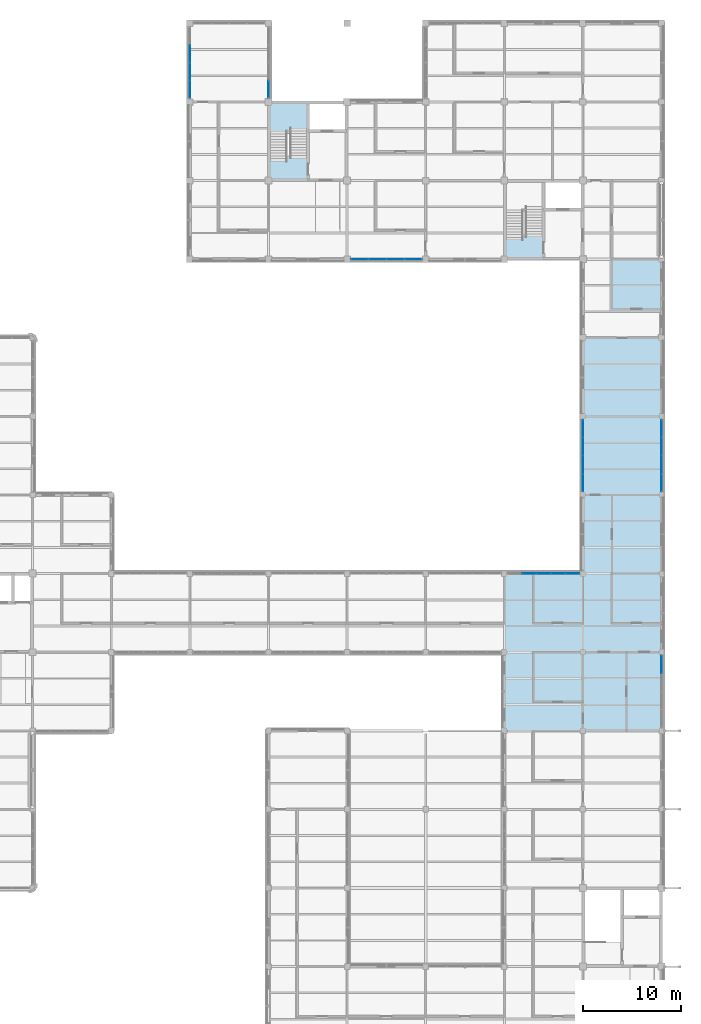
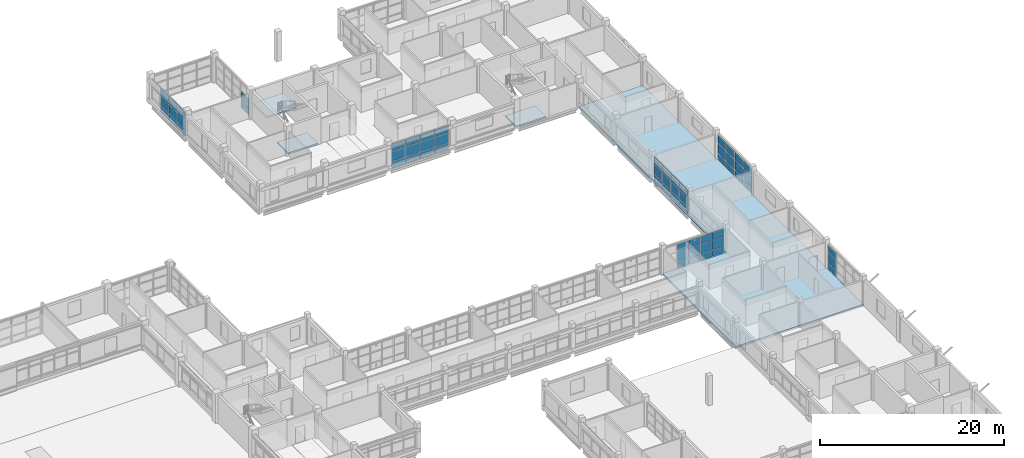
# One storey, part 68 of 107: 62 plates, 4 slabs, 8 elements without a shape of their own.
"""IFC4 building model written with IfcOpenShell, lengths in metres."""

import ifcopenshell
import ifcopenshell.guid

model = None  # the IFC model being written
_history = None  # IfcOwnerHistory: only IFC2X3 demands one
_inside = {}  # id of a spatial element -> (the spatial element, [elements in it])
_under = {}  # id of a project, library or spatial element -> (it, [spatial elements below it])
_declared = {}  # id of a project -> (the project, [libraries it declares])
_typed = {}  # id of a type object -> (the type object, [elements of that type])
_made_of = {}  # id of a material, layer set ... -> (it, [elements and type objects made of it])


def new_model(schema):
    """Start an empty IFC model of exactly this schema.

    Asked for "IFC4X3", IfcOpenShell would pick the latest addendum, in which some entities
    have other attributes; the version numbers below select the first issue.
    IFC2X3 requires an IfcOwnerHistory on every rooted entity: one is made here for all.
    """
    global model, _history
    if schema == "IFC4X3":
        model = ifcopenshell.file(schema_version=(4, 3, 0, 0))
    else:
        model = ifcopenshell.file(schema=schema)
    _inside.clear()
    _under.clear()
    _declared.clear()
    _typed.clear()
    _made_of.clear()
    _history = None
    if model.schema == "IFC2X3":
        org = make("IfcOrganization", Name="unknown")
        user = make(
            "IfcPersonAndOrganization",
            ThePerson=make("IfcPerson", FamilyName="unknown"),
            TheOrganization=org,
        )
        app = make(
            "IfcApplication",
            ApplicationDeveloper=org,
            Version="unknown",
            ApplicationFullName="unknown",
            ApplicationIdentifier="unknown",
        )
        _history = make(
            "IfcOwnerHistory",
            OwningUser=user,
            OwningApplication=app,
            ChangeAction="ADDED",
            CreationDate=0,
        )
    return model


def make(cls, **values):
    """One entity of the class cls with the attributes given. An attribute that is None is left unset."""
    return model.create_entity(
        cls, **{name: value for name, value in values.items() if value is not None}
    )


def rooted(cls, **values):
    """An entity with a GlobalId (a new one), such as an element, a storey or a relation."""
    return make(cls, GlobalId=ifcopenshell.guid.new(), OwnerHistory=_history, **values)


def si_unit(unit_type, name, prefix=None):
    """IfcSIUnit, for example si_unit("LENGTHUNIT", "METRE", prefix="MILLI")."""
    return make("IfcSIUnit", UnitType=unit_type, Prefix=prefix, Name=name)


def derived_unit(unit_type, elements):
    """IfcDerivedUnit: a product of units, each with its exponent."""
    return make(
        "IfcDerivedUnit",
        Elements=[
            make("IfcDerivedUnitElement", Unit=unit, Exponent=power)
            for unit, power in elements
        ],
        UnitType=unit_type,
    )


def assignment(units):
    """IfcUnitAssignment: the units of a project."""
    return None if units is None else make("IfcUnitAssignment", Units=units)


def point(xyz):
    """IfcCartesianPoint."""
    return None if xyz is None else make("IfcCartesianPoint", Coordinates=xyz)


def direction(xyz):
    """IfcDirection."""
    return None if xyz is None else make("IfcDirection", DirectionRatios=xyz)


def frame(location, z_axis=None, x_axis=None):
    """IfcAxis2Placement3D, a coordinate frame: its origin and axes. An axis left out is left unset."""
    return make(
        "IfcAxis2Placement3D",
        Location=point(location),
        Axis=direction(z_axis),
        RefDirection=direction(x_axis),
    )


def frame_2d(location, x_axis=None):
    """IfcAxis2Placement2D, a coordinate frame in the plane: its origin and x axis."""
    return make(
        "IfcAxis2Placement2D", Location=point(location), RefDirection=direction(x_axis)
    )


def origin():
    """The frame at (0, 0, 0) with its axes left unset."""
    return frame((0.0, 0.0, 0.0))


def origin_2d():
    """The frame at (0, 0) in the plane with its x axis left unset."""
    return frame_2d((0.0, 0.0))


def place(relative_to, where):
    """IfcLocalPlacement: puts the frame where relative to a parent placement (None: the world)."""
    return make(
        "IfcLocalPlacement", PlacementRelTo=relative_to, RelativePlacement=where
    )


def context(
    kind, dimensions, precision=None, world=None, true_north=None, identifier=None
):
    """IfcGeometricRepresentationContext, for example the 3D "Model" context."""
    return make(
        "IfcGeometricRepresentationContext",
        ContextIdentifier=identifier,
        ContextType=kind,
        CoordinateSpaceDimension=dimensions,
        Precision=precision,
        WorldCoordinateSystem=world,
        TrueNorth=true_north,
    )


def subcontext(parent, identifier, kind, view, scale=None):
    """IfcGeometricRepresentationSubContext, for example "Body" below "Model"."""
    return make(
        "IfcGeometricRepresentationSubContext",
        ContextIdentifier=identifier,
        ContextType=kind,
        ParentContext=parent,
        TargetScale=scale,
        TargetView=view,
    )


def project(units=None, contexts=None):
    """IfcProject with its units and contexts."""
    return rooted(
        "IfcProject",
        Name="project",
        RepresentationContexts=contexts,
        UnitsInContext=assignment(units),
    )


def spatial(cls, under=None, at=None, **own):
    """A site, building, storey or space (cls), placed at a placement, below another one or the project."""
    s = rooted(cls, ObjectPlacement=at, **own)
    if under is not None:
        _under.setdefault(under.id(), (under, []))[1].append(s)
    return s


def polyline(points):
    """IfcPolyline through the points."""
    return make("IfcPolyline", Points=[point(p) for p in points])


def profile(cls, at=None, kind="AREA", **sizes):
    """A parametric profile (cls). Its sizes go by their IFC names, for example OverallWidth=200.0."""
    return make(cls, ProfileType=kind, Position=at, **sizes)


def rectangle(**sizes):
    """IfcRectangleProfileDef."""
    return profile("IfcRectangleProfileDef", **sizes)


def outline(outer, holes=None, kind="AREA"):
    """IfcArbitraryClosedProfileDef: a profile drawn as a closed curve; with holes, ...WithVoids."""
    if holes is None:
        return make("IfcArbitraryClosedProfileDef", ProfileType=kind, OuterCurve=outer)
    return make(
        "IfcArbitraryProfileDefWithVoids",
        ProfileType=kind,
        OuterCurve=outer,
        InnerCurves=holes,
    )


def extrude(swept, where, along, depth):
    """IfcExtrudedAreaSolid: the profile swept, set in the frame where, extruded along a direction by depth."""
    return make(
        "IfcExtrudedAreaSolid",
        SweptArea=swept,
        Position=where,
        ExtrudedDirection=direction(along),
        Depth=depth,
    )


def shape(context_of_items, identifier, shape_type, items):
    """IfcShapeRepresentation: the items that make up one representation, for example the "Body"."""
    return make(
        "IfcShapeRepresentation",
        ContextOfItems=context_of_items,
        RepresentationIdentifier=identifier,
        RepresentationType=shape_type,
        Items=items,
    )


def material(Name=None, Category=None):
    """IfcMaterial."""
    return make("IfcMaterial", Name=Name, Category=Category)


def layer(
    of_material, thickness, ventilated=None, Name=None, Category=None, Priority=None
):
    """IfcMaterialLayer: one layer of a wall or slab, of a material (None: an air gap)."""
    return make(
        "IfcMaterialLayer",
        Material=of_material,
        LayerThickness=thickness,
        IsVentilated=ventilated,
        Name=Name,
        Category=Category,
        Priority=Priority,
    )


def layer_set(layers, Name=None):
    """IfcMaterialLayerSet."""
    return make("IfcMaterialLayerSet", MaterialLayers=layers, LayerSetName=Name)


def made_of(thing, what):
    """Note that an element or type object is made of a material, layer set ...; save() writes the relation."""
    if what is not None:
        _made_of.setdefault(what.id(), (what, []))[1].append(thing)
    return thing


def type_object(cls, material=None, **own):
    """A type object (cls), such as IfcWallType, which elements share."""
    return made_of(rooted(cls, **own), material)


def element(
    cls,
    number,
    at=None,
    inside=None,
    cuts=None,
    type_object=None,
    material=None,
    context=None,
    identifier="Body",
    shape_type=None,
    held_by="IfcProductDefinitionShape",
    body=None,
    shapes=None,
    **own,
):
    """One element of the class cls, such as IfcWall. Its Tag is "e" and its number.

    at: its placement. inside: the storey or other place that contains it. cuts: it is an
    opening in that element (IfcRelVoidsElement). A single representation is given by context,
    identifier, shape_type and body (its items); several are given by shapes. held_by: the class
    of the entity that holds the representations. save() writes the other relations.
    """
    e = rooted(cls, Tag="e%d" % number, ObjectPlacement=at, **own)
    if body is not None:
        shapes = [shape(context, identifier, shape_type, body)]
    if shapes is not None:
        e.Representation = make(held_by, Representations=shapes)
    if inside is not None:
        _inside.setdefault(inside.id(), (inside, []))[1].append(e)
    if cuts is not None:
        rooted(
            "IfcRelVoidsElement", RelatingBuildingElement=cuts, RelatedOpeningElement=e
        )
    if type_object is not None:
        _typed.setdefault(type_object.id(), (type_object, []))[1].append(e)
    return made_of(e, material)


def aggregate(whole, parts):
    """IfcRelAggregates: a whole, such as a stair, and the parts it consists of."""
    return rooted("IfcRelAggregates", RelatingObject=whole, RelatedObjects=parts)


def save(model, path):
    """Write the relations noted so far, then the file.

    IfcRelAggregates (storeys below a building ...), IfcRelContainedInSpatialStructure (elements
    in a storey), IfcRelDefinesByType, IfcRelAssociatesMaterial and IfcRelDeclares: one each for
    every whole, place, type object, material and project.
    """
    for whole, parts in _under.values():
        aggregate(whole, parts)
    for where, things in _inside.values():
        rooted(
            "IfcRelContainedInSpatialStructure",
            RelatedElements=things,
            RelatingStructure=where,
        )
    for kind, things in _typed.values():
        rooted("IfcRelDefinesByType", RelatedObjects=things, RelatingType=kind)
    for what, things in _made_of.values():
        rooted("IfcRelAssociatesMaterial", RelatedObjects=things, RelatingMaterial=what)
    for by, libraries in _declared.values():
        rooted("IfcRelDeclares", RelatingContext=by, RelatedDefinitions=libraries)
    model.write(path)


model = new_model("IFC4")

# Units and contexts
model_context = context("Model", 3, precision=1e-05, world=origin(), true_north=direction((0.0, 1.0)))
body_context = subcontext(model_context, "Body", "Model", "MODEL_VIEW")
ifc_project = project(units=[si_unit("LENGTHUNIT", "METRE"), si_unit("AREAUNIT", "SQUARE_METRE"), si_unit("VOLUMEUNIT", "CUBIC_METRE"), si_unit("PLANEANGLEUNIT", "RADIAN"), si_unit("MASSUNIT", "GRAM", prefix="KILO"), derived_unit("THERMALTRANSMITTANCEUNIT", [(si_unit("MASSUNIT", "GRAM", prefix="KILO"), 1), (si_unit("TIMEUNIT", "SECOND"), -3), (si_unit("THERMODYNAMICTEMPERATUREUNIT", "KELVIN"), -1)])], contexts=[model_context])

# Site, building, storey
site_placement = place(None, origin())
site = spatial("IfcSite", under=ifc_project, at=site_placement, CompositionType="ELEMENT")
building_placement = place(site_placement, origin())
building = spatial("IfcBuilding", under=site, at=building_placement, Name="Veyamyaing Civic Hall", CompositionType="ELEMENT")
storey_placement = place(building_placement, frame((0.0, 0.0, 13.860107421875)))
storey = spatial("IfcBuildingStorey", under=building, at=storey_placement, Name="L03", CompositionType="ELEMENT", Elevation=13.860107421875)

# Curtain wall, plates
ifc_material_1 = material(Name="Anodised aluminium 6063-T6", Category="aluminium")
ifc_layer_1 = layer(ifc_material_1, 0.139892578125, Name="Anodised aluminium 6063-T6")
ifc_layer_set_1 = layer_set([ifc_layer_1], Name="Anodised aluminium 6063-T6")
curtain_wall_type_1 = type_object("IfcCurtainWallType", Name="CW-04", PredefinedType="NOTDEFINED", material=ifc_layer_set_1)
curtain_wall_1_placement = place(storey_placement, origin())
curtain_wall_1 = element("IfcCurtainWall", 1, at=curtain_wall_1_placement, inside=storey, type_object=curtain_wall_type_1, Name="Unitized curtain wall CW-04 L03 N 21.7", PredefinedType="NOTDEFINED")
ifc_material_2 = material(Name="Low-E insulated glass", Category="glass")
ifc_layer_2 = layer(ifc_material_2, 0.028076171875, Name="Low-E insulated glass")
ifc_layer_set_2 = layer_set([ifc_layer_2], Name="Low-E insulated glass")
plate_type_1 = type_object("IfcPlateType", Name="CWP-01", PredefinedType="CURTAIN_PANEL", material=ifc_layer_set_2)
plate_1_placement = place(storey_placement, frame((162.52197265625, 56.0, 0.059814453125), z_axis=(0.0, 0.0, 1.0), x_axis=(1.0, 0.0, 0.0)))
plate_1 = element("IfcPlate", 2, at=plate_1_placement, type_object=plate_type_1, Name="CW-04 panel 2.1", PredefinedType="CURTAIN_PANEL", context=body_context, shape_type="SweptSolid", body=[
    extrude(rectangle(XDim=1.41796875, YDim=0.028076171875, at=origin_2d()), origin(), (0.0, 0.0, 1.0), 0.81005859375),
])
plate_2_placement = place(storey_placement, frame((162.52197265625, 56.0, 0.929931640625), z_axis=(0.0, 0.0, 1.0), x_axis=(1.0, 0.0, 0.0)))
plate_2 = element("IfcPlate", 3, at=plate_2_placement, type_object=plate_type_1, Name="CW-04 panel 2.2", PredefinedType="CURTAIN_PANEL", context=body_context, shape_type="SweptSolid", body=[
    extrude(rectangle(XDim=1.41796875, YDim=0.028076171875, at=origin_2d()), origin(), (0.0, 0.0, 1.0), 1.28662109375),
])
plate_3_placement = place(storey_placement, frame((162.52197265625, 56.0, 2.276611328125), z_axis=(0.0, 0.0, 1.0), x_axis=(1.0, 0.0, 0.0)))
plate_3 = element("IfcPlate", 4, at=plate_3_placement, type_object=plate_type_1, Name="CW-04 panel 2.3", PredefinedType="CURTAIN_PANEL", context=body_context, shape_type="SweptSolid", body=[
    extrude(rectangle(XDim=1.41796875, YDim=0.028076171875, at=origin_2d()), origin(), (0.0, 0.0, 1.0), 0.96728515625),
])
plate_4_placement = place(storey_placement, frame((164.0, 56.0, 0.059814453125), z_axis=(0.0, 0.0, 1.0), x_axis=(1.0, 0.0, 0.0)))
plate_4 = element("IfcPlate", 5, at=plate_4_placement, type_object=plate_type_1, Name="CW-04 panel 3.1", PredefinedType="CURTAIN_PANEL", context=body_context, shape_type="SweptSolid", body=[
    extrude(rectangle(XDim=1.41796875, YDim=0.028076171875, at=origin_2d()), origin(), (0.0, 0.0, 1.0), 0.81005859375),
])
plate_5_placement = place(storey_placement, frame((164.0, 56.0, 0.929931640625), z_axis=(0.0, 0.0, 1.0), x_axis=(1.0, 0.0, 0.0)))
plate_5 = element("IfcPlate", 6, at=plate_5_placement, type_object=plate_type_1, Name="CW-04 panel 3.2", PredefinedType="CURTAIN_PANEL", context=body_context, shape_type="SweptSolid", body=[
    extrude(rectangle(XDim=1.41796875, YDim=0.028076171875, at=origin_2d()), origin(), (0.0, 0.0, 1.0), 1.28662109375),
])
plate_6_placement = place(storey_placement, frame((164.0, 56.0, 2.276611328125), z_axis=(0.0, 0.0, 1.0), x_axis=(1.0, 0.0, 0.0)))
plate_6 = element("IfcPlate", 7, at=plate_6_placement, type_object=plate_type_1, Name="CW-04 panel 3.3", PredefinedType="CURTAIN_PANEL", context=body_context, shape_type="SweptSolid", body=[
    extrude(rectangle(XDim=1.41796875, YDim=0.028076171875, at=origin_2d()), origin(), (0.0, 0.0, 1.0), 0.96728515625),
])
plate_7_placement = place(storey_placement, frame((165.47802734375, 56.0, 0.059814453125), z_axis=(0.0, 0.0, 1.0), x_axis=(1.0, 0.0, 0.0)))
plate_7 = element("IfcPlate", 8, at=plate_7_placement, type_object=plate_type_1, Name="CW-04 panel 4.1", PredefinedType="CURTAIN_PANEL", context=body_context, shape_type="SweptSolid", body=[
    extrude(rectangle(XDim=1.41796875, YDim=0.028076171875, at=origin_2d()), origin(), (0.0, 0.0, 1.0), 0.81005859375),
])
plate_8_placement = place(storey_placement, frame((165.47802734375, 56.0, 0.929931640625), z_axis=(0.0, 0.0, 1.0), x_axis=(1.0, 0.0, 0.0)))
plate_8 = element("IfcPlate", 9, at=plate_8_placement, type_object=plate_type_1, Name="CW-04 panel 4.2", PredefinedType="CURTAIN_PANEL", context=body_context, shape_type="SweptSolid", body=[
    extrude(rectangle(XDim=1.41796875, YDim=0.028076171875, at=origin_2d()), origin(), (0.0, 0.0, 1.0), 1.28662109375),
])
plate_9_placement = place(storey_placement, frame((165.47802734375, 56.0, 2.276611328125), z_axis=(0.0, 0.0, 1.0), x_axis=(1.0, 0.0, 0.0)))
plate_9 = element("IfcPlate", 10, at=plate_9_placement, type_object=plate_type_1, Name="CW-04 panel 4.3", PredefinedType="CURTAIN_PANEL", context=body_context, shape_type="SweptSolid", body=[
    extrude(rectangle(XDim=1.41796875, YDim=0.028076171875, at=origin_2d()), origin(), (0.0, 0.0, 1.0), 0.96728515625),
])
plate_10_placement = place(storey_placement, frame((166.94091796875, 56.0, 0.059814453125), z_axis=(0.0, 0.0, 1.0), x_axis=(1.0, 0.0, 0.0)))
plate_10 = element("IfcPlate", 11, at=plate_10_placement, type_object=plate_type_1, Name="CW-04 panel 5.1", PredefinedType="CURTAIN_PANEL", context=body_context, shape_type="SweptSolid", body=[
    extrude(rectangle(XDim=1.387939453125, YDim=0.028076171875, at=origin_2d()), origin(), (0.0, 0.0, 1.0), 0.81005859375),
])
plate_11_placement = place(storey_placement, frame((166.94091796875, 56.0, 0.929931640625), z_axis=(0.0, 0.0, 1.0), x_axis=(1.0, 0.0, 0.0)))
plate_11 = element("IfcPlate", 12, at=plate_11_placement, type_object=plate_type_1, Name="CW-04 panel 5.2", PredefinedType="CURTAIN_PANEL", context=body_context, shape_type="SweptSolid", body=[
    extrude(rectangle(XDim=1.387939453125, YDim=0.028076171875, at=origin_2d()), origin(), (0.0, 0.0, 1.0), 1.28662109375),
])
plate_12_placement = place(storey_placement, frame((166.94091796875, 56.0, 2.276611328125), z_axis=(0.0, 0.0, 1.0), x_axis=(1.0, 0.0, 0.0)))
plate_12 = element("IfcPlate", 13, at=plate_12_placement, type_object=plate_type_1, Name="CW-04 panel 5.3", PredefinedType="CURTAIN_PANEL", context=body_context, shape_type="SweptSolid", body=[
    extrude(rectangle(XDim=1.387939453125, YDim=0.028076171875, at=origin_2d()), origin(), (0.0, 0.0, 1.0), 0.96728515625),
])
aggregate(curtain_wall_1, [plate_1, plate_2, plate_3, plate_4, plate_5, plate_6, plate_7, plate_8, plate_9, plate_10, plate_11, plate_12])

ifc_layer_3 = layer(ifc_material_1, 0.159912109375, Name="Anodised aluminium 6063-T6")
ifc_layer_set_3 = layer_set([ifc_layer_3], Name="Anodised aluminium 6063-T6")
curtain_wall_type_2 = type_object("IfcCurtainWallType", Name="CW-07", PredefinedType="NOTDEFINED", material=ifc_layer_set_3)
curtain_wall_2_placement = place(storey_placement, origin())
curtain_wall_2 = element("IfcCurtainWall", 14, at=curtain_wall_2_placement, inside=storey, type_object=curtain_wall_type_2, Name="Unitized curtain wall CW-07 L03 E 22.6", PredefinedType="NOTDEFINED")
plate_13_placement = place(storey_placement, frame((176.0, 46.7548828125, 0.06494140625), z_axis=(0.0, 0.0, 1.0), x_axis=(0.0, 1.0, 0.0)))
plate_13 = element("IfcPlate", 15, at=plate_13_placement, type_object=plate_type_1, Name="CW-07 panel 4.1", PredefinedType="CURTAIN_PANEL", context=body_context, shape_type="SweptSolid", body=[
    extrude(rectangle(XDim=1.75, YDim=0.028076171875, at=origin_2d()), origin(), (0.0, 0.0, 1.0), 0.802490234375),
])
plate_14_placement = place(storey_placement, frame((176.0, 46.7548828125, 0.932373046875), z_axis=(0.0, 0.0, 1.0), x_axis=(0.0, 1.0, 0.0)))
plate_14 = element("IfcPlate", 16, at=plate_14_placement, type_object=plate_type_1, Name="CW-07 panel 4.2", PredefinedType="CURTAIN_PANEL", context=body_context, shape_type="SweptSolid", body=[
    extrude(rectangle(XDim=1.75, YDim=0.028076171875, at=origin_2d()), origin(), (0.0, 0.0, 1.0), 1.28173828125),
])
plate_15_placement = place(storey_placement, frame((176.0, 46.7548828125, 2.279296875), z_axis=(0.0, 0.0, 1.0), x_axis=(0.0, 1.0, 0.0)))
plate_15 = element("IfcPlate", 17, at=plate_15_placement, type_object=plate_type_1, Name="CW-07 panel 4.3", PredefinedType="CURTAIN_PANEL", context=body_context, shape_type="SweptSolid", body=[
    extrude(rectangle(XDim=1.75, YDim=0.028076171875, at=origin_2d()), origin(), (0.0, 0.0, 1.0), 0.959716796875),
])
aggregate(curtain_wall_2, [plate_13, plate_14, plate_15])

curtain_wall_3_placement = place(storey_placement, origin())
curtain_wall_3 = element("IfcCurtainWall", 18, at=curtain_wall_3_placement, inside=storey, type_object=curtain_wall_type_2, Name="Unitized curtain wall CW-07 L03 W 17.14", PredefinedType="NOTDEFINED")
ifc_layer_4 = layer(ifc_material_2, 0.02392578125, Name="Low-E insulated glass")
ifc_layer_set_4 = layer_set([ifc_layer_4], Name="Low-E insulated glass")
plate_type_2 = type_object("IfcPlateType", Name="CWP-04", PredefinedType="CURTAIN_PANEL", material=ifc_layer_set_4)
plate_16_placement = place(storey_placement, frame((128.0, 105.282470703125, 0.06494140625), z_axis=(0.0, 0.0, 1.0), x_axis=(0.0, 1.0, 0.0)))
plate_16 = element("IfcPlate", 19, at=plate_16_placement, type_object=plate_type_2, Name="CW-07 panel 1.1", PredefinedType="CURTAIN_PANEL", context=body_context, shape_type="SweptSolid", body=[
    extrude(rectangle(XDim=1.72509765625, YDim=0.02392578125, at=origin_2d()), origin(), (0.0, 0.0, 1.0), 0.802490234375),
])
plate_17_placement = place(storey_placement, frame((128.0, 105.282470703125, 0.93212890625), z_axis=(0.0, 0.0, 1.0), x_axis=(0.0, 1.0, 0.0)))
plate_17 = element("IfcPlate", 20, at=plate_17_placement, type_object=plate_type_2, Name="CW-07 panel 1.2", PredefinedType="CURTAIN_PANEL", context=body_context, shape_type="SweptSolid", body=[
    extrude(rectangle(XDim=1.72509765625, YDim=0.02392578125, at=origin_2d()), origin(), (0.0, 0.0, 1.0), 1.279052734375),
])
plate_18_placement = place(storey_placement, frame((128.0, 105.282470703125, 2.2763671875), z_axis=(0.0, 0.0, 1.0), x_axis=(0.0, 1.0, 0.0)))
plate_18 = element("IfcPlate", 21, at=plate_18_placement, type_object=plate_type_2, Name="CW-07 panel 1.3", PredefinedType="CURTAIN_PANEL", context=body_context, shape_type="SweptSolid", body=[
    extrude(rectangle(XDim=1.72509765625, YDim=0.02392578125, at=origin_2d()), origin(), (0.0, 0.0, 1.0), 0.95849609375),
])
plate_19_placement = place(storey_placement, frame((128.0, 107.0888671875, 0.06494140625), z_axis=(0.0, 0.0, 1.0), x_axis=(0.0, 1.0, 0.0)))
plate_19 = element("IfcPlate", 22, at=plate_19_placement, type_object=plate_type_2, Name="CW-07 panel 2.1", PredefinedType="CURTAIN_PANEL", context=body_context, shape_type="SweptSolid", body=[
    extrude(rectangle(XDim=1.757568359375, YDim=0.02392578125, at=origin_2d()), origin(), (0.0, 0.0, 1.0), 0.802490234375),
])
plate_20_placement = place(storey_placement, frame((128.0, 107.0888671875, 0.93212890625), z_axis=(0.0, 0.0, 1.0), x_axis=(0.0, 1.0, 0.0)))
plate_20 = element("IfcPlate", 23, at=plate_20_placement, type_object=plate_type_2, Name="CW-07 panel 2.2", PredefinedType="CURTAIN_PANEL", context=body_context, shape_type="SweptSolid", body=[
    extrude(rectangle(XDim=1.757568359375, YDim=0.02392578125, at=origin_2d()), origin(), (0.0, 0.0, 1.0), 1.279052734375),
])
plate_21_placement = place(storey_placement, frame((128.0, 107.0888671875, 2.2763671875), z_axis=(0.0, 0.0, 1.0), x_axis=(0.0, 1.0, 0.0)))
plate_21 = element("IfcPlate", 24, at=plate_21_placement, type_object=plate_type_2, Name="CW-07 panel 2.3", PredefinedType="CURTAIN_PANEL", context=body_context, shape_type="SweptSolid", body=[
    extrude(rectangle(XDim=1.757568359375, YDim=0.02392578125, at=origin_2d()), origin(), (0.0, 0.0, 1.0), 0.95849609375),
])
plate_22_placement = place(storey_placement, frame((128.0, 108.9111328125, 0.06494140625), z_axis=(0.0, 0.0, 1.0), x_axis=(0.0, 1.0, 0.0)))
plate_22 = element("IfcPlate", 25, at=plate_22_placement, type_object=plate_type_2, Name="CW-07 panel 3.1", PredefinedType="CURTAIN_PANEL", context=body_context, shape_type="SweptSolid", body=[
    extrude(rectangle(XDim=1.757568359375, YDim=0.02392578125, at=origin_2d()), origin(), (0.0, 0.0, 1.0), 0.802490234375),
])
plate_23_placement = place(storey_placement, frame((128.0, 108.9111328125, 0.93212890625), z_axis=(0.0, 0.0, 1.0), x_axis=(0.0, 1.0, 0.0)))
plate_23 = element("IfcPlate", 26, at=plate_23_placement, type_object=plate_type_2, Name="CW-07 panel 3.2", PredefinedType="CURTAIN_PANEL", context=body_context, shape_type="SweptSolid", body=[
    extrude(rectangle(XDim=1.757568359375, YDim=0.02392578125, at=origin_2d()), origin(), (0.0, 0.0, 1.0), 1.279052734375),
])
plate_24_placement = place(storey_placement, frame((128.0, 108.9111328125, 2.2763671875), z_axis=(0.0, 0.0, 1.0), x_axis=(0.0, 1.0, 0.0)))
plate_24 = element("IfcPlate", 27, at=plate_24_placement, type_object=plate_type_2, Name="CW-07 panel 3.3", PredefinedType="CURTAIN_PANEL", context=body_context, shape_type="SweptSolid", body=[
    extrude(rectangle(XDim=1.757568359375, YDim=0.02392578125, at=origin_2d()), origin(), (0.0, 0.0, 1.0), 0.95849609375),
])
aggregate(curtain_wall_3, [plate_16, plate_17, plate_18, plate_19, plate_20, plate_21, plate_22, plate_23, plate_24])

curtain_wall_4_placement = place(storey_placement, origin())
curtain_wall_4 = element("IfcCurtainWall", 28, at=curtain_wall_4_placement, inside=storey, type_object=curtain_wall_type_2, Name="Unitized curtain wall CW-07 L03 E 17.14", PredefinedType="NOTDEFINED")
plate_25_placement = place(storey_placement, frame((136.0, 105.304443359375, 0.06494140625), z_axis=(0.0, 0.0, 1.0), x_axis=(0.0, 1.0, 0.0)))
plate_25 = element("IfcPlate", 29, at=plate_25_placement, type_object=plate_type_2, Name="CW-07 panel 1.1", PredefinedType="CURTAIN_PANEL", context=body_context, shape_type="SweptSolid", body=[
    extrude(rectangle(XDim=1.71875, YDim=0.02392578125, at=origin_2d()), origin(), (0.0, 0.0, 1.0), 0.802490234375),
])
plate_26_placement = place(storey_placement, frame((136.0, 105.304443359375, 0.9326171875), z_axis=(0.0, 0.0, 1.0), x_axis=(0.0, 1.0, 0.0)))
plate_26 = element("IfcPlate", 30, at=plate_26_placement, type_object=plate_type_2, Name="CW-07 panel 1.2", PredefinedType="CURTAIN_PANEL", context=body_context, shape_type="SweptSolid", body=[
    extrude(rectangle(XDim=1.71875, YDim=0.02392578125, at=origin_2d()), origin(), (0.0, 0.0, 1.0), 1.322509765625),
])
aggregate(curtain_wall_4, [plate_25, plate_26])

curtain_wall_5_placement = place(storey_placement, origin())
curtain_wall_5 = element("IfcCurtainWall", 31, at=curtain_wall_5_placement, inside=storey, type_object=curtain_wall_type_2, Name="Unitized curtain wall CW-07 L03 S 19.12", PredefinedType="NOTDEFINED")
plate_27_placement = place(storey_placement, frame((145.282470703125, 88.0, 0.06494140625), z_axis=(0.0, 0.0, 1.0), x_axis=(1.0, 0.0, 0.0)))
plate_27 = element("IfcPlate", 32, at=plate_27_placement, type_object=plate_type_2, Name="CW-07 panel 1.1", PredefinedType="CURTAIN_PANEL", context=body_context, shape_type="SweptSolid", body=[
    extrude(rectangle(XDim=1.72509765625, YDim=0.02392578125, at=origin_2d()), origin(), (0.0, 0.0, 1.0), 0.802490234375),
])
plate_28_placement = place(storey_placement, frame((145.282470703125, 88.0, 0.93212890625), z_axis=(0.0, 0.0, 1.0), x_axis=(1.0, 0.0, 0.0)))
plate_28 = element("IfcPlate", 33, at=plate_28_placement, type_object=plate_type_2, Name="CW-07 panel 1.2", PredefinedType="CURTAIN_PANEL", context=body_context, shape_type="SweptSolid", body=[
    extrude(rectangle(XDim=1.72509765625, YDim=0.02392578125, at=origin_2d()), origin(), (0.0, 0.0, 1.0), 1.279052734375),
])
plate_29_placement = place(storey_placement, frame((145.282470703125, 88.0, 2.2763671875), z_axis=(0.0, 0.0, 1.0), x_axis=(1.0, 0.0, 0.0)))
plate_29 = element("IfcPlate", 34, at=plate_29_placement, type_object=plate_type_2, Name="CW-07 panel 1.3", PredefinedType="CURTAIN_PANEL", context=body_context, shape_type="SweptSolid", body=[
    extrude(rectangle(XDim=1.72509765625, YDim=0.02392578125, at=origin_2d()), origin(), (0.0, 0.0, 1.0), 0.95849609375),
])
plate_30_placement = place(storey_placement, frame((147.0888671875, 88.0, 0.06494140625), z_axis=(0.0, 0.0, 1.0), x_axis=(1.0, 0.0, 0.0)))
plate_30 = element("IfcPlate", 35, at=plate_30_placement, type_object=plate_type_2, Name="CW-07 panel 2.1", PredefinedType="CURTAIN_PANEL", context=body_context, shape_type="SweptSolid", body=[
    extrude(rectangle(XDim=1.757568359375, YDim=0.02392578125, at=origin_2d()), origin(), (0.0, 0.0, 1.0), 0.802490234375),
])
plate_31_placement = place(storey_placement, frame((147.0888671875, 88.0, 0.93212890625), z_axis=(0.0, 0.0, 1.0), x_axis=(1.0, 0.0, 0.0)))
plate_31 = element("IfcPlate", 36, at=plate_31_placement, type_object=plate_type_2, Name="CW-07 panel 2.2", PredefinedType="CURTAIN_PANEL", context=body_context, shape_type="SweptSolid", body=[
    extrude(rectangle(XDim=1.757568359375, YDim=0.02392578125, at=origin_2d()), origin(), (0.0, 0.0, 1.0), 1.279052734375),
])
plate_32_placement = place(storey_placement, frame((147.0888671875, 88.0, 2.2763671875), z_axis=(0.0, 0.0, 1.0), x_axis=(1.0, 0.0, 0.0)))
plate_32 = element("IfcPlate", 37, at=plate_32_placement, type_object=plate_type_2, Name="CW-07 panel 2.3", PredefinedType="CURTAIN_PANEL", context=body_context, shape_type="SweptSolid", body=[
    extrude(rectangle(XDim=1.757568359375, YDim=0.02392578125, at=origin_2d()), origin(), (0.0, 0.0, 1.0), 0.95849609375),
])
plate_33_placement = place(storey_placement, frame((148.9111328125, 88.0, 0.06494140625), z_axis=(0.0, 0.0, 1.0), x_axis=(1.0, 0.0, 0.0)))
plate_33 = element("IfcPlate", 38, at=plate_33_placement, type_object=plate_type_2, Name="CW-07 panel 3.1", PredefinedType="CURTAIN_PANEL", context=body_context, shape_type="SweptSolid", body=[
    extrude(rectangle(XDim=1.757568359375, YDim=0.02392578125, at=origin_2d()), origin(), (0.0, 0.0, 1.0), 0.802490234375),
])
plate_34_placement = place(storey_placement, frame((148.9111328125, 88.0, 0.93212890625), z_axis=(0.0, 0.0, 1.0), x_axis=(1.0, 0.0, 0.0)))
plate_34 = element("IfcPlate", 39, at=plate_34_placement, type_object=plate_type_2, Name="CW-07 panel 3.2", PredefinedType="CURTAIN_PANEL", context=body_context, shape_type="SweptSolid", body=[
    extrude(rectangle(XDim=1.757568359375, YDim=0.02392578125, at=origin_2d()), origin(), (0.0, 0.0, 1.0), 1.279052734375),
])
plate_35_placement = place(storey_placement, frame((148.9111328125, 88.0, 2.2763671875), z_axis=(0.0, 0.0, 1.0), x_axis=(1.0, 0.0, 0.0)))
plate_35 = element("IfcPlate", 40, at=plate_35_placement, type_object=plate_type_2, Name="CW-07 panel 3.3", PredefinedType="CURTAIN_PANEL", context=body_context, shape_type="SweptSolid", body=[
    extrude(rectangle(XDim=1.757568359375, YDim=0.02392578125, at=origin_2d()), origin(), (0.0, 0.0, 1.0), 0.95849609375),
])
plate_36_placement = place(storey_placement, frame((150.717529296875, 88.0, 0.06494140625), z_axis=(0.0, 0.0, 1.0), x_axis=(1.0, 0.0, 0.0)))
plate_36 = element("IfcPlate", 41, at=plate_36_placement, type_object=plate_type_2, Name="CW-07 panel 4.1", PredefinedType="CURTAIN_PANEL", context=body_context, shape_type="SweptSolid", body=[
    extrude(rectangle(XDim=1.72509765625, YDim=0.02392578125, at=origin_2d()), origin(), (0.0, 0.0, 1.0), 0.802490234375),
])
plate_37_placement = place(storey_placement, frame((150.717529296875, 88.0, 0.93212890625), z_axis=(0.0, 0.0, 1.0), x_axis=(1.0, 0.0, 0.0)))
plate_37 = element("IfcPlate", 42, at=plate_37_placement, type_object=plate_type_2, Name="CW-07 panel 4.2", PredefinedType="CURTAIN_PANEL", context=body_context, shape_type="SweptSolid", body=[
    extrude(rectangle(XDim=1.72509765625, YDim=0.02392578125, at=origin_2d()), origin(), (0.0, 0.0, 1.0), 1.279052734375),
])
plate_38_placement = place(storey_placement, frame((150.717529296875, 88.0, 2.2763671875), z_axis=(0.0, 0.0, 1.0), x_axis=(1.0, 0.0, 0.0)))
plate_38 = element("IfcPlate", 43, at=plate_38_placement, type_object=plate_type_2, Name="CW-07 panel 4.3", PredefinedType="CURTAIN_PANEL", context=body_context, shape_type="SweptSolid", body=[
    extrude(rectangle(XDim=1.72509765625, YDim=0.02392578125, at=origin_2d()), origin(), (0.0, 0.0, 1.0), 0.95849609375),
])
aggregate(curtain_wall_5, [plate_27, plate_28, plate_29, plate_30, plate_31, plate_32, plate_33, plate_34, plate_35, plate_36, plate_37, plate_38])

curtain_wall_6_placement = place(storey_placement, origin())
curtain_wall_6 = element("IfcCurtainWall", 44, at=curtain_wall_6_placement, inside=storey, type_object=curtain_wall_type_2, Name="Unitized curtain wall CW-07 L03 W 22.9", PredefinedType="NOTDEFINED")
plate_39_placement = place(storey_placement, frame((168.0, 65.2451171875, 0.06494140625), z_axis=(0.0, 0.0, 1.0), x_axis=(0.0, 1.0, 0.0)))
plate_39 = element("IfcPlate", 45, at=plate_39_placement, type_object=plate_type_2, Name="CW-07 panel 1.1", PredefinedType="CURTAIN_PANEL", context=body_context, shape_type="SweptSolid", body=[
    extrude(rectangle(XDim=1.75, YDim=0.02392578125, at=origin_2d()), origin(), (0.0, 0.0, 1.0), 0.802490234375),
])
plate_40_placement = place(storey_placement, frame((168.0, 65.2451171875, 0.93212890625), z_axis=(0.0, 0.0, 1.0), x_axis=(0.0, 1.0, 0.0)))
plate_40 = element("IfcPlate", 46, at=plate_40_placement, type_object=plate_type_2, Name="CW-07 panel 1.2", PredefinedType="CURTAIN_PANEL", context=body_context, shape_type="SweptSolid", body=[
    extrude(rectangle(XDim=1.75, YDim=0.02392578125, at=origin_2d()), origin(), (0.0, 0.0, 1.0), 1.279052734375),
])
plate_41_placement = place(storey_placement, frame((168.0, 65.2451171875, 2.2763671875), z_axis=(0.0, 0.0, 1.0), x_axis=(0.0, 1.0, 0.0)))
plate_41 = element("IfcPlate", 47, at=plate_41_placement, type_object=plate_type_2, Name="CW-07 panel 1.3", PredefinedType="CURTAIN_PANEL", context=body_context, shape_type="SweptSolid", body=[
    extrude(rectangle(XDim=1.75, YDim=0.02392578125, at=origin_2d()), origin(), (0.0, 0.0, 1.0), 0.95849609375),
])
plate_42_placement = place(storey_placement, frame((168.0, 67.076171875, 0.06494140625), z_axis=(0.0, 0.0, 1.0), x_axis=(0.0, 1.0, 0.0)))
plate_42 = element("IfcPlate", 48, at=plate_42_placement, type_object=plate_type_2, Name="CW-07 panel 2.1", PredefinedType="CURTAIN_PANEL", context=body_context, shape_type="SweptSolid", body=[
    extrude(rectangle(XDim=1.782470703125, YDim=0.02392578125, at=origin_2d()), origin(), (0.0, 0.0, 1.0), 0.802490234375),
])
plate_43_placement = place(storey_placement, frame((168.0, 67.076171875, 0.93212890625), z_axis=(0.0, 0.0, 1.0), x_axis=(0.0, 1.0, 0.0)))
plate_43 = element("IfcPlate", 49, at=plate_43_placement, type_object=plate_type_2, Name="CW-07 panel 2.2", PredefinedType="CURTAIN_PANEL", context=body_context, shape_type="SweptSolid", body=[
    extrude(rectangle(XDim=1.782470703125, YDim=0.02392578125, at=origin_2d()), origin(), (0.0, 0.0, 1.0), 1.279052734375),
])
plate_44_placement = place(storey_placement, frame((168.0, 67.076171875, 2.2763671875), z_axis=(0.0, 0.0, 1.0), x_axis=(0.0, 1.0, 0.0)))
plate_44 = element("IfcPlate", 50, at=plate_44_placement, type_object=plate_type_2, Name="CW-07 panel 2.3", PredefinedType="CURTAIN_PANEL", context=body_context, shape_type="SweptSolid", body=[
    extrude(rectangle(XDim=1.782470703125, YDim=0.02392578125, at=origin_2d()), origin(), (0.0, 0.0, 1.0), 0.95849609375),
])
plate_45_placement = place(storey_placement, frame((168.0, 68.923828125, 0.06494140625), z_axis=(0.0, 0.0, 1.0), x_axis=(0.0, 1.0, 0.0)))
plate_45 = element("IfcPlate", 51, at=plate_45_placement, type_object=plate_type_2, Name="CW-07 panel 3.1", PredefinedType="CURTAIN_PANEL", context=body_context, shape_type="SweptSolid", body=[
    extrude(rectangle(XDim=1.782470703125, YDim=0.02392578125, at=origin_2d()), origin(), (0.0, 0.0, 1.0), 0.802490234375),
])
plate_46_placement = place(storey_placement, frame((168.0, 68.923828125, 0.93212890625), z_axis=(0.0, 0.0, 1.0), x_axis=(0.0, 1.0, 0.0)))
plate_46 = element("IfcPlate", 52, at=plate_46_placement, type_object=plate_type_2, Name="CW-07 panel 3.2", PredefinedType="CURTAIN_PANEL", context=body_context, shape_type="SweptSolid", body=[
    extrude(rectangle(XDim=1.782470703125, YDim=0.02392578125, at=origin_2d()), origin(), (0.0, 0.0, 1.0), 1.279052734375),
])
plate_47_placement = place(storey_placement, frame((168.0, 68.923828125, 2.2763671875), z_axis=(0.0, 0.0, 1.0), x_axis=(0.0, 1.0, 0.0)))
plate_47 = element("IfcPlate", 53, at=plate_47_placement, type_object=plate_type_2, Name="CW-07 panel 3.3", PredefinedType="CURTAIN_PANEL", context=body_context, shape_type="SweptSolid", body=[
    extrude(rectangle(XDim=1.782470703125, YDim=0.02392578125, at=origin_2d()), origin(), (0.0, 0.0, 1.0), 0.95849609375),
])
plate_48_placement = place(storey_placement, frame((168.0, 70.7548828125, 0.06494140625), z_axis=(0.0, 0.0, 1.0), x_axis=(0.0, 1.0, 0.0)))
plate_48 = element("IfcPlate", 54, at=plate_48_placement, type_object=plate_type_2, Name="CW-07 panel 4.1", PredefinedType="CURTAIN_PANEL", context=body_context, shape_type="SweptSolid", body=[
    extrude(rectangle(XDim=1.75, YDim=0.02392578125, at=origin_2d()), origin(), (0.0, 0.0, 1.0), 0.802490234375),
])
plate_49_placement = place(storey_placement, frame((168.0, 70.7548828125, 0.93212890625), z_axis=(0.0, 0.0, 1.0), x_axis=(0.0, 1.0, 0.0)))
plate_49 = element("IfcPlate", 55, at=plate_49_placement, type_object=plate_type_2, Name="CW-07 panel 4.2", PredefinedType="CURTAIN_PANEL", context=body_context, shape_type="SweptSolid", body=[
    extrude(rectangle(XDim=1.75, YDim=0.02392578125, at=origin_2d()), origin(), (0.0, 0.0, 1.0), 1.279052734375),
])
plate_50_placement = place(storey_placement, frame((168.0, 70.7548828125, 2.2763671875), z_axis=(0.0, 0.0, 1.0), x_axis=(0.0, 1.0, 0.0)))
plate_50 = element("IfcPlate", 56, at=plate_50_placement, type_object=plate_type_2, Name="CW-07 panel 4.3", PredefinedType="CURTAIN_PANEL", context=body_context, shape_type="SweptSolid", body=[
    extrude(rectangle(XDim=1.75, YDim=0.02392578125, at=origin_2d()), origin(), (0.0, 0.0, 1.0), 0.95849609375),
])
aggregate(curtain_wall_6, [plate_39, plate_40, plate_41, plate_42, plate_43, plate_44, plate_45, plate_46, plate_47, plate_48, plate_49, plate_50])

curtain_wall_7_placement = place(storey_placement, origin())
curtain_wall_7 = element("IfcCurtainWall", 57, at=curtain_wall_7_placement, inside=storey, type_object=curtain_wall_type_2, Name="Unitized curtain wall CW-07 L03 E 22.9", PredefinedType="NOTDEFINED")
plate_51_placement = place(storey_placement, frame((176.0, 65.2451171875, 0.06494140625), z_axis=(0.0, 0.0, 1.0), x_axis=(0.0, 1.0, 0.0)))
plate_51 = element("IfcPlate", 58, at=plate_51_placement, type_object=plate_type_2, Name="CW-07 panel 1.1", PredefinedType="CURTAIN_PANEL", context=body_context, shape_type="SweptSolid", body=[
    extrude(rectangle(XDim=1.75, YDim=0.02392578125, at=origin_2d()), origin(), (0.0, 0.0, 1.0), 0.802490234375),
])
plate_52_placement = place(storey_placement, frame((176.0, 65.2451171875, 0.9326171875), z_axis=(0.0, 0.0, 1.0), x_axis=(0.0, 1.0, 0.0)))
plate_52 = element("IfcPlate", 59, at=plate_52_placement, type_object=plate_type_2, Name="CW-07 panel 1.2", PredefinedType="CURTAIN_PANEL", context=body_context, shape_type="SweptSolid", body=[
    extrude(rectangle(XDim=1.75, YDim=0.02392578125, at=origin_2d()), origin(), (0.0, 0.0, 1.0), 1.322509765625),
])
plate_53_placement = place(storey_placement, frame((176.0, 65.2451171875, 2.31982421875), z_axis=(0.0, 0.0, 1.0), x_axis=(0.0, 1.0, 0.0)))
plate_53 = element("IfcPlate", 60, at=plate_53_placement, type_object=plate_type_2, Name="CW-07 panel 1.3", PredefinedType="CURTAIN_PANEL", context=body_context, shape_type="SweptSolid", body=[
    extrude(rectangle(XDim=1.75, YDim=0.02392578125, at=origin_2d()), origin(), (0.0, 0.0, 1.0), 0.97900390625),
])
plate_54_placement = place(storey_placement, frame((176.0, 67.076171875, 0.06494140625), z_axis=(0.0, 0.0, 1.0), x_axis=(0.0, 1.0, 0.0)))
plate_54 = element("IfcPlate", 61, at=plate_54_placement, type_object=plate_type_2, Name="CW-07 panel 2.1", PredefinedType="CURTAIN_PANEL", context=body_context, shape_type="SweptSolid", body=[
    extrude(rectangle(XDim=1.782470703125, YDim=0.02392578125, at=origin_2d()), origin(), (0.0, 0.0, 1.0), 0.802490234375),
])
plate_55_placement = place(storey_placement, frame((176.0, 67.076171875, 0.9326171875), z_axis=(0.0, 0.0, 1.0), x_axis=(0.0, 1.0, 0.0)))
plate_55 = element("IfcPlate", 62, at=plate_55_placement, type_object=plate_type_2, Name="CW-07 panel 2.2", PredefinedType="CURTAIN_PANEL", context=body_context, shape_type="SweptSolid", body=[
    extrude(rectangle(XDim=1.782470703125, YDim=0.02392578125, at=origin_2d()), origin(), (0.0, 0.0, 1.0), 1.322509765625),
])
plate_56_placement = place(storey_placement, frame((176.0, 67.076171875, 2.31982421875), z_axis=(0.0, 0.0, 1.0), x_axis=(0.0, 1.0, 0.0)))
plate_56 = element("IfcPlate", 63, at=plate_56_placement, type_object=plate_type_2, Name="CW-07 panel 2.3", PredefinedType="CURTAIN_PANEL", context=body_context, shape_type="SweptSolid", body=[
    extrude(rectangle(XDim=1.782470703125, YDim=0.02392578125, at=origin_2d()), origin(), (0.0, 0.0, 1.0), 0.97900390625),
])
plate_57_placement = place(storey_placement, frame((176.0, 68.923828125, 0.06494140625), z_axis=(0.0, 0.0, 1.0), x_axis=(0.0, 1.0, 0.0)))
plate_57 = element("IfcPlate", 64, at=plate_57_placement, type_object=plate_type_2, Name="CW-07 panel 3.1", PredefinedType="CURTAIN_PANEL", context=body_context, shape_type="SweptSolid", body=[
    extrude(rectangle(XDim=1.782470703125, YDim=0.02392578125, at=origin_2d()), origin(), (0.0, 0.0, 1.0), 0.802490234375),
])
plate_58_placement = place(storey_placement, frame((176.0, 68.923828125, 0.9326171875), z_axis=(0.0, 0.0, 1.0), x_axis=(0.0, 1.0, 0.0)))
plate_58 = element("IfcPlate", 65, at=plate_58_placement, type_object=plate_type_2, Name="CW-07 panel 3.2", PredefinedType="CURTAIN_PANEL", context=body_context, shape_type="SweptSolid", body=[
    extrude(rectangle(XDim=1.782470703125, YDim=0.02392578125, at=origin_2d()), origin(), (0.0, 0.0, 1.0), 1.322509765625),
])
plate_59_placement = place(storey_placement, frame((176.0, 68.923828125, 2.31982421875), z_axis=(0.0, 0.0, 1.0), x_axis=(0.0, 1.0, 0.0)))
plate_59 = element("IfcPlate", 66, at=plate_59_placement, type_object=plate_type_2, Name="CW-07 panel 3.3", PredefinedType="CURTAIN_PANEL", context=body_context, shape_type="SweptSolid", body=[
    extrude(rectangle(XDim=1.782470703125, YDim=0.02392578125, at=origin_2d()), origin(), (0.0, 0.0, 1.0), 0.97900390625),
])
plate_60_placement = place(storey_placement, frame((176.0, 70.7548828125, 0.06494140625), z_axis=(0.0, 0.0, 1.0), x_axis=(0.0, 1.0, 0.0)))
plate_60 = element("IfcPlate", 67, at=plate_60_placement, type_object=plate_type_2, Name="CW-07 panel 4.1", PredefinedType="CURTAIN_PANEL", context=body_context, shape_type="SweptSolid", body=[
    extrude(rectangle(XDim=1.75, YDim=0.02392578125, at=origin_2d()), origin(), (0.0, 0.0, 1.0), 0.802490234375),
])
plate_61_placement = place(storey_placement, frame((176.0, 70.7548828125, 0.9326171875), z_axis=(0.0, 0.0, 1.0), x_axis=(0.0, 1.0, 0.0)))
plate_61 = element("IfcPlate", 68, at=plate_61_placement, type_object=plate_type_2, Name="CW-07 panel 4.2", PredefinedType="CURTAIN_PANEL", context=body_context, shape_type="SweptSolid", body=[
    extrude(rectangle(XDim=1.75, YDim=0.02392578125, at=origin_2d()), origin(), (0.0, 0.0, 1.0), 1.322509765625),
])
plate_62_placement = place(storey_placement, frame((176.0, 70.7548828125, 2.31982421875), z_axis=(0.0, 0.0, 1.0), x_axis=(0.0, 1.0, 0.0)))
plate_62 = element("IfcPlate", 69, at=plate_62_placement, type_object=plate_type_2, Name="CW-07 panel 4.3", PredefinedType="CURTAIN_PANEL", context=body_context, shape_type="SweptSolid", body=[
    extrude(rectangle(XDim=1.75, YDim=0.02392578125, at=origin_2d()), origin(), (0.0, 0.0, 1.0), 0.97900390625),
])
aggregate(curtain_wall_7, [plate_51, plate_52, plate_53, plate_54, plate_55, plate_56, plate_57, plate_58, plate_59, plate_60, plate_61, plate_62])

# Slabs
ifc_material_3 = material(Name="Concrete C40/50", Category="concrete")
ifc_layer_5 = layer(ifc_material_3, 0.2548828125, Name="Concrete C40/50")
ifc_layer_set_5 = layer_set([ifc_layer_5], Name="Concrete C40/50")
slab_type_1 = type_object("IfcSlabType", Name="SL-05", PredefinedType="FLOOR", material=ifc_layer_set_5)
slab_1_placement = place(storey_placement, frame((0.0, 0.0, -0.255126953125)))
element("IfcSlab", 70, at=slab_1_placement, inside=storey, type_object=slab_type_1, Name="Floor slab SL-05 L03 V4SE.1", PredefinedType="FLOOR", context=body_context, shape_type="SweptSolid", body=[
    extrude(outline(polyline([(168.0, 56.0), (168.0, 88.0), (176.0, 88.0), (176.0, 40.0), (160.0, 40.0), (160.0, 56.0), (168.0, 56.0)])), origin(), (0.0, 0.0, 1.0), 0.255126953125),
])
ifc_layer_6 = layer(ifc_material_3, 0.199951171875, Name="Concrete C40/50")
ifc_layer_set_6 = layer_set([ifc_layer_6], Name="Concrete C40/50")
slab_type_2 = type_object("IfcSlabType", Name="SL-16", PredefinedType="FLOOR", material=ifc_layer_set_6)
slab_2_placement = place(storey_placement, frame((0.0, 0.0, -0.2001953125)))
element("IfcSlab", 71, at=slab_2_placement, inside=storey, type_object=slab_type_2, Name="Stair floor landing slab SL-16 ST-03 L03", PredefinedType="FLOOR", context=body_context, shape_type="SweptSolid", body=[
    extrude(outline(polyline([(160.139892578125, 88.139892578125), (163.909912109375, 88.139892578125), (163.909912109375, 90.52001953125), (160.139892578125, 90.52001953125), (160.139892578125, 88.139892578125)])), origin(), (0.0, 0.0, 1.0), 0.2001953125),
])
slab_3_placement = place(storey_placement, frame((0.0, 0.0, -0.2001953125)))
element("IfcSlab", 72, at=slab_3_placement, inside=storey, type_object=slab_type_2, Name="Stair floor landing slab SL-16 ST-04 L03", PredefinedType="FLOOR", context=body_context, shape_type="SweptSolid", body=[
    extrude(outline(polyline([(136.139892578125, 96.139892578125), (139.909912109375, 96.139892578125), (139.909912109375, 98.52001953125), (136.139892578125, 98.52001953125), (136.139892578125, 96.139892578125)])), origin(), (0.0, 0.0, 1.0), 0.2001953125),
])

# Stair, slab
stair_type = type_object("IfcStairType", Name="ST-D", PredefinedType="HALF_TURN_STAIR", material=ifc_material_3)
stair_placement = place(storey_placement, origin())
stair = element("IfcStair", 73, at=stair_placement, inside=storey, type_object=stair_type, Name="Protected exit stair ST-04 L03", PredefinedType="HALF_TURN_STAIR")
ifc_layer_7 = layer(ifc_material_3, 0.195068359375, Name="Concrete C40/50")
ifc_layer_set_7 = layer_set([ifc_layer_7], Name="Concrete C40/50")
slab_type_3 = type_object("IfcSlabType", Name="SL-LND", PredefinedType="LANDING", material=ifc_layer_set_7)
slab_4_placement = place(storey_placement, frame((0.0, 0.0, 1.784912109375)))
slab_4 = element("IfcSlab", 74, at=slab_4_placement, type_object=slab_type_3, Name="ST-04 landing 1", PredefinedType="LANDING", context=body_context, shape_type="SweptSolid", body=[
    extrude(outline(polyline([(136.139892578125, 100.7900390625), (139.909912109375, 100.7900390625), (139.909912109375, 103.860107421875), (136.139892578125, 103.860107421875), (136.139892578125, 100.7900390625)])), origin(), (0.0, 0.0, 1.0), 0.195068359375),
])
aggregate(stair, [slab_4])

save(model, "model.ifc")
